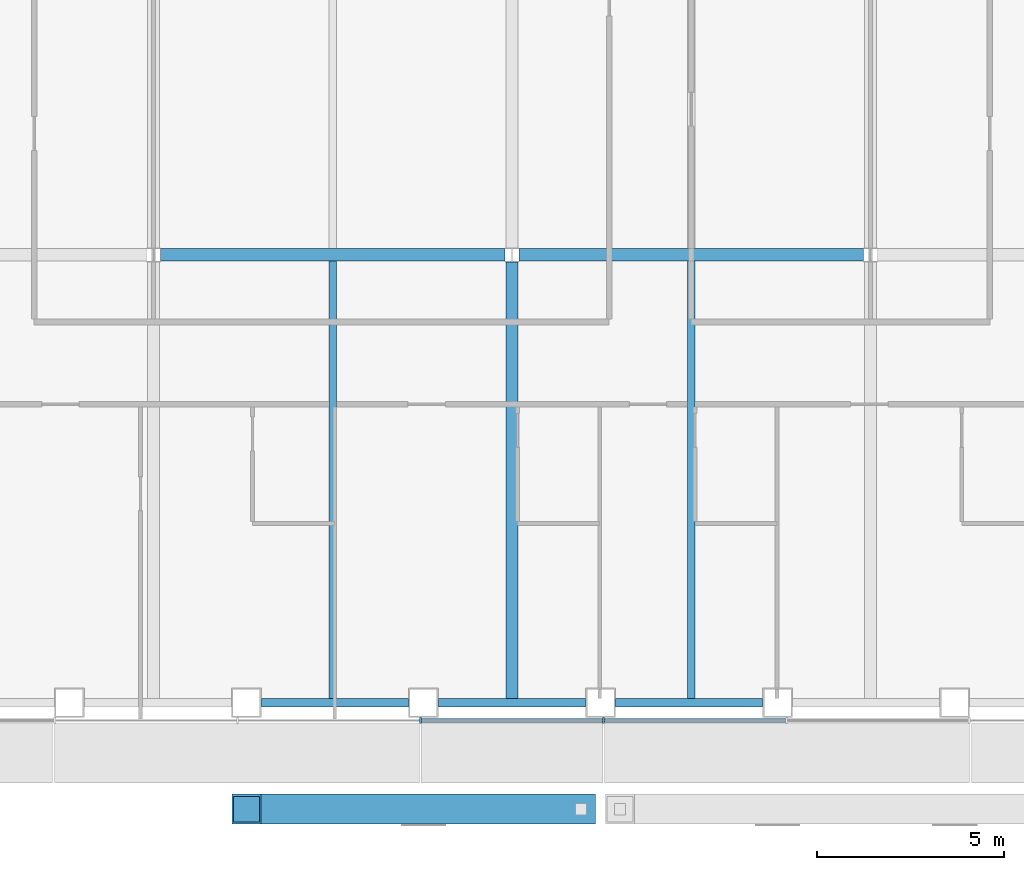
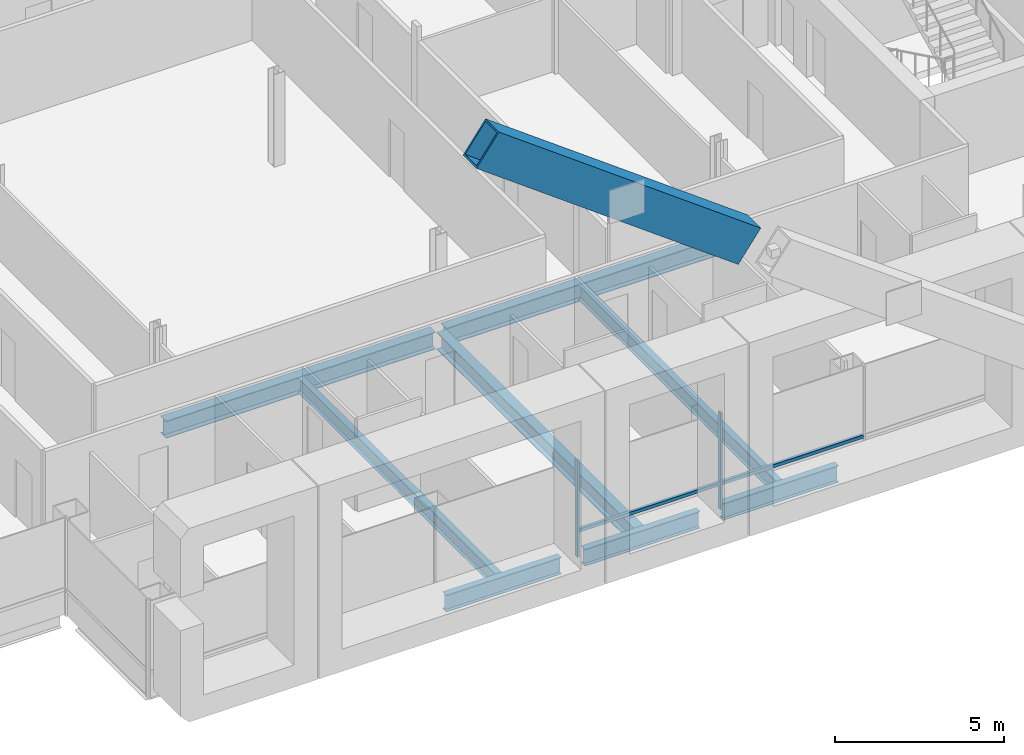
# One storey, part 4 of 22: 8 beams, 5 members, 1 element without a shape of its own.
"""IFC4 building model written with IfcOpenShell, lengths in metres."""

from ifc_helpers import new_model, si_unit, direction, frame, origin, origin_2d, place, context, subcontext, project, spatial, rectangle, hollow_rectangle, i_section, extrude, material, material_profile, profile_set, type_object, element, aggregate, save


model = new_model("IFC4")

# Units and contexts
model_context = context("Model", 3, precision=1e-05, world=origin(), true_north=direction((0.0, 1.0)))
body_context = subcontext(model_context, "Body", "Model", "MODEL_VIEW")
ifc_project = project(units=[si_unit("LENGTHUNIT", "METRE"), si_unit("AREAUNIT", "SQUARE_METRE"), si_unit("VOLUMEUNIT", "CUBIC_METRE"), si_unit("PLANEANGLEUNIT", "RADIAN"), si_unit("MASSUNIT", "GRAM", prefix="KILO")], contexts=[model_context])

# Site, building, storey
site_placement = place(None, origin())
site = spatial("IfcSite", under=ifc_project, at=site_placement, CompositionType="ELEMENT")
building_placement = place(site_placement, origin())
building = spatial("IfcBuilding", under=site, at=building_placement, Name="Cobrizo Arcos Hotel Tower", CompositionType="ELEMENT")
storey_placement = place(building_placement, frame((0.0, 0.0, 155.0)))
storey = spatial("IfcBuildingStorey", under=building, at=storey_placement, Name="L39", CompositionType="ELEMENT", Elevation=155.0)

# Member
ifc_material_1 = material(Name="Steel ASTM A572 Grade 50", Category="steel")
ifc_material_profile_1 = material_profile(ifc_material_1, hollow_rectangle(XDim=0.800048828125, YDim=1.300048828125, WallThickness=0.06005859375, at=origin_2d()), Name="BOX 800X1300X60")
ifc_profile_set_1 = profile_set([ifc_material_profile_1], Name="Steel ASTM A572 Grade 50")
member_type_1 = type_object("IfcMemberType", Name="BOX 800X1300X60 perimeter brace", PredefinedType="BRACE", material=ifc_profile_set_1)
member_1_placement = place(storey_placement, frame((1.84814453125, -24.449951171875, 11.385986328125), z_axis=(-0.804620954099, 0.0, 0.593788784186), x_axis=(0.0, -1.0, 0.0)))
element("IfcMember", 1, at=member_1_placement, inside=storey, type_object=member_type_1, Name="Perimeter brace PBR3, zone Z3, south face, no. 07b", PredefinedType="BRACE", context=body_context, shape_type="SweptSolid", body=[
    extrude(hollow_rectangle(XDim=0.800048828125, YDim=1.300048828125, WallThickness=0.06005859375, at=origin_2d()), origin(), (0.0, 0.0, 1.0), 11.138671875),
])

# Curtain wall, members
ifc_material_2 = material(Name="Aluminium 6063-T6 anodised bronze", Category="aluminium")
curtain_wall_type = type_object("IfcCurtainWallType", Name="CW-A guest facade", PredefinedType="NOTDEFINED", material=ifc_material_2)
curtain_wall_placement = place(storey_placement, origin())
curtain_wall = element("IfcCurtainWall", 2, at=curtain_wall_placement, inside=storey, type_object=curtain_wall_type, Name="CW-A L39 S face", PredefinedType="NOTDEFINED")
ifc_material_profile_2 = material_profile(ifc_material_2, rectangle(XDim=0.14990234375, YDim=0.06005859375, at=origin_2d()), Name="CW-A mullion 150x60")
ifc_profile_set_2 = profile_set([ifc_material_profile_2], Name="Aluminium 6063-T6 anodised bronze")
member_type_2 = type_object("IfcMemberType", Name="CW-A mullion 150x60", PredefinedType="MULLION", material=ifc_profile_set_2)
member_2_placement = place(storey_placement, frame((-2.449951171875, -22.074951171875, 0.0), z_axis=(0.0, 0.0, 1.0), x_axis=(0.0, -1.0, 0.0)))
member_2 = element("IfcMember", 3, at=member_2_placement, type_object=member_type_2, Name="CW-A mullion 4", PredefinedType="MULLION", context=body_context, shape_type="SweptSolid", body=[
    extrude(rectangle(XDim=0.14990234375, YDim=0.06005859375, at=origin_2d()), origin(), (0.0, 0.0, 1.0), 3.5),
])
member_3_placement = place(storey_placement, frame((2.449951171875, -22.074951171875, 0.0), z_axis=(0.0, 0.0, 1.0), x_axis=(0.0, -1.0, 0.0)))
member_3 = element("IfcMember", 4, at=member_3_placement, type_object=member_type_2, Name="CW-A mullion 5", PredefinedType="MULLION", context=body_context, shape_type="SweptSolid", body=[
    extrude(rectangle(XDim=0.14990234375, YDim=0.06005859375, at=origin_2d()), origin(), (0.0, 0.0, 1.0), 3.5),
])
ifc_material_profile_3 = material_profile(ifc_material_2, rectangle(XDim=0.10009765625, YDim=0.1201171875, at=origin_2d()), Name="CW-A transom 120x100")
ifc_profile_set_3 = profile_set([ifc_material_profile_3], Name="Aluminium 6063-T6 anodised bronze")
member_type_3 = type_object("IfcMemberType", Name="CW-A transom 120x100", PredefinedType="USERDEFINED", material=ifc_profile_set_3)
member_4_placement = place(storey_placement, frame((-2.419921875, -22.074951171875, 0.929931640625), z_axis=(1.0, 0.0, 0.0), x_axis=(0.0, 1.0, 0.0)))
member_4 = element("IfcMember", 5, at=member_4_placement, type_object=member_type_3, Name="CW-A transom 1399", ObjectType="TRANSOM", PredefinedType="USERDEFINED", context=body_context, shape_type="SweptSolid", body=[
    extrude(rectangle(XDim=0.10009765625, YDim=0.1201171875, at=origin_2d()), origin(), (0.0, 0.0, 1.0), 4.83984375),
])
member_5_placement = place(storey_placement, frame((2.47998046875, -22.074951171875, 0.929931640625), z_axis=(1.0, 0.0, 0.0), x_axis=(0.0, 1.0, 0.0)))
member_5 = element("IfcMember", 6, at=member_5_placement, type_object=member_type_3, Name="CW-A transom 1400", ObjectType="TRANSOM", PredefinedType="USERDEFINED", context=body_context, shape_type="SweptSolid", body=[
    extrude(rectangle(XDim=0.10009765625, YDim=0.1201171875, at=origin_2d()), origin(), (0.0, 0.0, 1.0), 4.840087890625),
])
aggregate(curtain_wall, [member_2, member_3, member_4, member_5])

# Beams
ifc_material_3 = material(Name="Steel ASTM A992 Grade 50", Category="steel")
ifc_material_profile_4 = material_profile(ifc_material_3, i_section(OverallWidth=0.209228515625, OverallDepth=0.533447265625, WebThickness=0.01025390625, FlangeThickness=0.015625, at=origin_2d()), Name="W21X62")
ifc_profile_set_4 = profile_set([ifc_material_profile_4], Name="Steel ASTM A992 Grade 50")
beam_type_1 = type_object("IfcBeamType", Name="W21X62 joist", PredefinedType="JOIST", material=ifc_profile_set_4)
for number, where, z_axis, x_axis, name in (
    (7, (-4.800048828125, -21.510009765625, -0.416748046875), (0.0, 1.0, 0.0), (-1.0, 0.0, 0.0), "Floor joist J1, L39, no. 007"),
    (8, (4.800048828125, -21.510009765625, -0.416748046875), (0.0, 1.0, 0.0), (-1.0, 0.0, 0.0), "Floor joist J1, L39, no. 011"),
):
    element("IfcBeam", number, at=place(storey_placement, frame(where, z_axis=z_axis, x_axis=x_axis)), inside=storey, type_object=beam_type_1, Name=name, PredefinedType="JOIST", context=body_context, shape_type="SweptSolid", body=[
        extrude(i_section(OverallWidth=0.209228515625, OverallDepth=0.533447265625, WebThickness=0.01025390625, FlangeThickness=0.015625, at=origin_2d()), origin(), (0.0, 0.0, 1.0), 11.74609375),
    ])
ifc_material_profile_5 = material_profile(ifc_material_3, i_section(OverallWidth=0.32763671875, OverallDepth=0.622314453125, WebThickness=0.015380859375, FlangeThickness=0.0244140625, at=origin_2d()), Name="W24X131")
ifc_profile_set_5 = profile_set([ifc_material_profile_5], Name="Steel ASTM A992 Grade 50")
beam_type_2 = type_object("IfcBeamType", Name="W24X131 girder", PredefinedType="BEAM", material=ifc_profile_set_5)
for number, where, z_axis, x_axis, name in (
    (9, (-9.413330078125, -9.60009765625, -0.461181640625), (1.0, 0.0, 0.0), (0.0, 1.0, 0.0), "Floor girder G1, L39, no. 002"),
    (10, (0.186767578125, -9.60009765625, -0.461181640625), (1.0, 0.0, 0.0), (0.0, 1.0, 0.0), "Floor girder G1, L39, no. 003"),
):
    element("IfcBeam", number, at=place(storey_placement, frame(where, z_axis=z_axis, x_axis=x_axis)), inside=storey, type_object=beam_type_2, Name=name, PredefinedType="BEAM", context=body_context, shape_type="SweptSolid", body=[
        extrude(i_section(OverallWidth=0.32763671875, OverallDepth=0.622314453125, WebThickness=0.015380859375, FlangeThickness=0.0244140625, at=origin_2d()), origin(), (0.0, 0.0, 1.0), 9.2265625),
    ])
beam_1_placement = place(storey_placement, frame((0.0, -21.510009765625, -0.461181640625), z_axis=(0.0, 1.0, 0.0), x_axis=(-1.0, 0.0, 0.0)))
element("IfcBeam", 11, at=beam_1_placement, inside=storey, type_object=beam_type_2, Name="Floor girder G1, L39, no. 017", PredefinedType="BEAM", context=body_context, shape_type="SweptSolid", body=[
    extrude(i_section(OverallWidth=0.32763671875, OverallDepth=0.622314453125, WebThickness=0.015380859375, FlangeThickness=0.0244140625, at=origin_2d()), origin(), (0.0, 0.0, 1.0), 11.723388671875),
])
ifc_material_profile_6 = material_profile(ifc_material_3, i_section(OverallWidth=0.228271484375, OverallDepth=0.607177734375, WebThickness=0.01123046875, FlangeThickness=0.017333984375, at=origin_2d()), Name="W24X76")
ifc_profile_set_6 = profile_set([ifc_material_profile_6], Name="Steel ASTM A992 Grade 50")
beam_type_3 = type_object("IfcBeamType", Name="W24X76 spandrel", PredefinedType="SPANDREL", material=ifc_profile_set_6)
beam_2_placement = place(storey_placement, frame((-6.714111328125, -21.60009765625, -0.45361328125), z_axis=(1.0, 0.0, 0.0), x_axis=(0.0, 1.0, 0.0)))
element("IfcBeam", 12, at=beam_2_placement, inside=storey, type_object=beam_type_3, Name="Spandrel beam W24X76, L39, no. 003", PredefinedType="SPANDREL", context=body_context, shape_type="SweptSolid", body=[
    extrude(i_section(OverallWidth=0.228271484375, OverallDepth=0.607177734375, WebThickness=0.01123046875, FlangeThickness=0.017333984375, at=origin_2d()), origin(), (0.0, 0.0, 1.0), 3.943115234375),
])
beam_3_placement = place(storey_placement, frame((-1.970947265625, -21.60009765625, -0.45361328125), z_axis=(1.0, 0.0, 0.0), x_axis=(0.0, 1.0, 0.0)))
element("IfcBeam", 13, at=beam_3_placement, inside=storey, type_object=beam_type_3, Name="Spandrel beam W24X76, L39, no. 004", PredefinedType="SPANDREL", context=body_context, shape_type="SweptSolid", body=[
    extrude(i_section(OverallWidth=0.228271484375, OverallDepth=0.607177734375, WebThickness=0.01123046875, FlangeThickness=0.017333984375, at=origin_2d()), origin(), (0.0, 0.0, 1.0), 3.94189453125),
])
beam_4_placement = place(storey_placement, frame((2.77099609375, -21.60009765625, -0.45361328125), z_axis=(1.0, 0.0, 0.0), x_axis=(0.0, 1.0, 0.0)))
element("IfcBeam", 14, at=beam_4_placement, inside=storey, type_object=beam_type_3, Name="Spandrel beam W24X76, L39, no. 005", PredefinedType="SPANDREL", context=body_context, shape_type="SweptSolid", body=[
    extrude(i_section(OverallWidth=0.228271484375, OverallDepth=0.607177734375, WebThickness=0.01123046875, FlangeThickness=0.017333984375, at=origin_2d()), origin(), (0.0, 0.0, 1.0), 3.943115234375),
])

save(model, "model.ifc")
